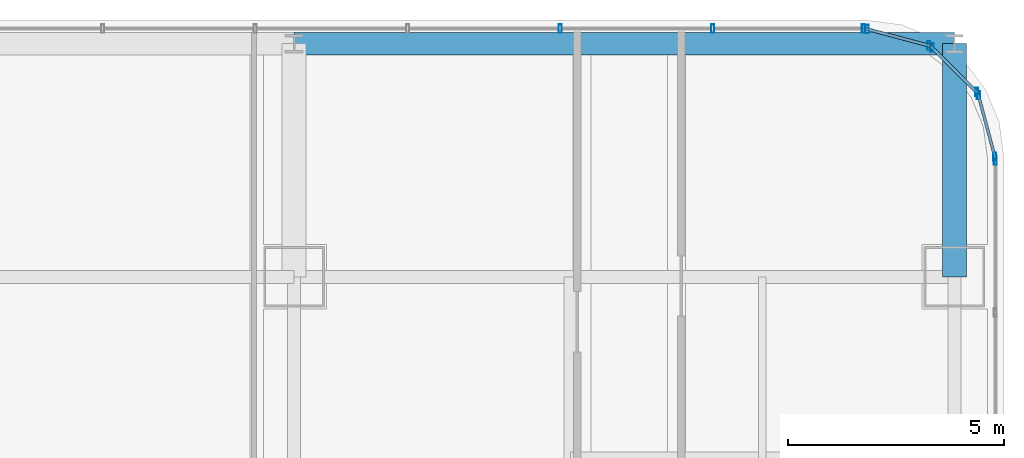
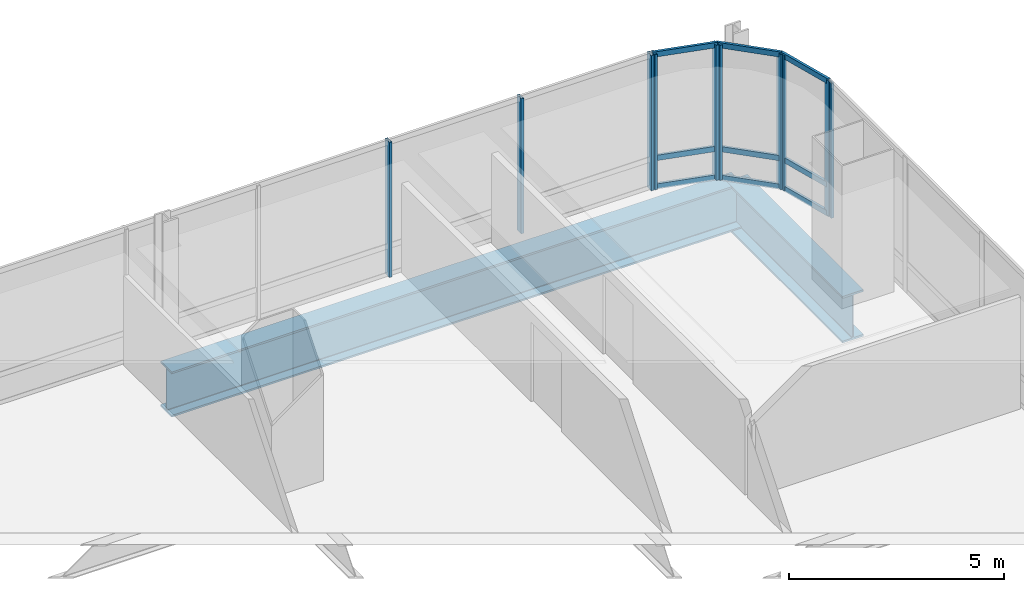
# One storey, part 27 of 38: 19 members, 2 beams, 5 elements without a shape of their own.
"""IFC4 building model written with IfcOpenShell, lengths in metres."""

from ifc_helpers import new_model, si_unit, direction, frame, origin, origin_2d, place, context, subcontext, project, spatial, hollow_rectangle, i_section, extrude, material, material_profile, profile_set, type_object, element, aggregate, save


model = new_model("IFC4")

# Units and contexts
model_context = context("Model", 3, precision=1e-05, world=origin(), true_north=direction((0.0, 1.0)))
body_context = subcontext(model_context, "Body", "Model", "MODEL_VIEW")
ifc_project = project(units=[si_unit("LENGTHUNIT", "METRE"), si_unit("AREAUNIT", "SQUARE_METRE"), si_unit("VOLUMEUNIT", "CUBIC_METRE"), si_unit("PLANEANGLEUNIT", "RADIAN"), si_unit("MASSUNIT", "GRAM", prefix="KILO")], contexts=[model_context])

# Site, building, storey
site_placement = place(None, origin())
site = spatial("IfcSite", under=ifc_project, at=site_placement, CompositionType="ELEMENT")
building_placement = place(site_placement, origin())
building = spatial("IfcBuilding", under=site, at=building_placement, Name="Punatoya Terracotta Tower", CompositionType="ELEMENT")
storey_placement = place(building_placement, frame((0.0, 0.0, 160.050048828125)))
storey = spatial("IfcBuildingStorey", under=building, at=storey_placement, Name="L37", CompositionType="ELEMENT", Elevation=160.050048828125)

# Beams
ifc_material_1 = material(Name="Steel S460", Category="steel")
ifc_material_profile_1 = material_profile(ifc_material_1, i_section(OverallWidth=0.56005859375, OverallDepth=1.320068359375, WebThickness=0.035888671875, FlangeThickness=0.054931640625, FilletRadius=0.01806640625, at=origin_2d()))
ifc_profile_set_1 = profile_set([ifc_material_profile_1], Name="Steel S460")
beam_type_1 = type_object("IfcBeamType", Name="BM-TG-BLK", PredefinedType="BEAM", material=ifc_profile_set_1)
beam_1_placement = place(storey_placement, frame((19.10009765625, 17.5, -0.880126953125), z_axis=(0.0, 1.0, 0.0), x_axis=(-1.0, 0.0, 0.0)))
element("IfcBeam", 1, at=beam_1_placement, inside=storey, type_object=beam_type_1, Name="BM-L37-CANT-N4", PredefinedType="BEAM", context=body_context, shape_type="SweptSolid", body=[
    extrude(i_section(OverallWidth=0.56005859375, OverallDepth=1.320068359375, WebThickness=0.035888671875, FlangeThickness=0.054931640625, FilletRadius=0.01806640625, at=origin_2d()), origin(), (0.0, 0.0, 1.0), 5.39990234375),
])
ifc_material_profile_2 = material_profile(ifc_material_1, i_section(OverallWidth=0.52001953125, OverallDepth=1.280029296875, WebThickness=0.031982421875, FlangeThickness=0.050048828125, FilletRadius=0.01806640625, at=origin_2d()))
ifc_profile_set_2 = profile_set([ifc_material_profile_2], Name="Steel S460")
beam_type_2 = type_object("IfcBeamType", Name="BM-TG-NCK", PredefinedType="BEAM", material=ifc_profile_set_2)
beam_2_placement = place(storey_placement, frame((3.800048828125, 22.89990234375, -0.860107421875), z_axis=(1.0, 0.0, 0.0), x_axis=(0.0, 1.0, 0.0)))
element("IfcBeam", 2, at=beam_2_placement, inside=storey, type_object=beam_type_2, Name="BM-L37-PER-N3", PredefinedType="BEAM", context=body_context, shape_type="SweptSolid", body=[
    extrude(i_section(OverallWidth=0.52001953125, OverallDepth=1.280029296875, WebThickness=0.031982421875, FlangeThickness=0.050048828125, FilletRadius=0.01806640625, at=origin_2d()), origin(), (0.0, 0.0, 1.0), 15.300048828125),
])

# Curtain wall, member
ifc_material_2 = material(Name="Aluminium 6063-T6 + Double Low-E Glass", Category="aluminium")
curtain_wall_type = type_object("IfcCurtainWallType", Name="CW-M2", PredefinedType="NOTDEFINED", material=ifc_material_2)
curtain_wall_1_placement = place(storey_placement, origin())
curtain_wall_1 = element("IfcCurtainWall", 3, at=curtain_wall_1_placement, inside=storey, type_object=curtain_wall_type, Name="L37 Curtain Wall CW-L37-E05-1", PredefinedType="NOTDEFINED")
ifc_material_3 = material(Name="Aluminium 6063-T6", Category="aluminium")
ifc_material_profile_3 = material_profile(ifc_material_3, hollow_rectangle(XDim=0.072021484375, YDim=0.195068359375, WallThickness=0.00439453125, at=origin_2d()))
ifc_profile_set_3 = profile_set([ifc_material_profile_3], Name="Aluminium 6063-T6")
member_type_1 = type_object("IfcMemberType", Name="CW-MUL-M2", PredefinedType="MULLION", material=ifc_profile_set_3)
member_1_placement = place(storey_placement, frame((20.050048828125, 20.19189453125, 0.0), z_axis=(0.0, 0.0, 1.0), x_axis=(1.0, 0.0, 0.0)))
member_1 = element("IfcMember", 4, at=member_1_placement, type_object=member_type_1, Name="CW-L37-E05-1 Mullion 10", PredefinedType="MULLION", context=body_context, shape_type="SweptSolid", body=[
    extrude(hollow_rectangle(XDim=0.072021484375, YDim=0.195068359375, WallThickness=0.00439453125, at=origin_2d()), origin(), (0.0, 0.0, 1.0), 3.829833984375),
])
aggregate(curtain_wall_1, [member_1])

# Curtain wall, members
curtain_wall_2_placement = place(storey_placement, origin())
curtain_wall_2 = element("IfcCurtainWall", 5, at=curtain_wall_2_placement, inside=storey, type_object=curtain_wall_type, Name="L37 Curtain Wall CW-L37-CRN06", PredefinedType="NOTDEFINED")
member_2_placement = place(storey_placement, frame((20.038330078125, 20.280517578125, 0.0), z_axis=(0.0, 0.0, 1.0), x_axis=(1.0, 0.0, 0.0)))
member_2 = element("IfcMember", 6, at=member_2_placement, type_object=member_type_1, Name="CW-L37-CRN06 Mullion 00", PredefinedType="MULLION", context=body_context, shape_type="SweptSolid", body=[
    extrude(hollow_rectangle(XDim=0.072021484375, YDim=0.195068359375, WallThickness=0.00439453125, at=origin_2d()), origin(), (0.0, 0.0, 1.0), 3.829833984375),
])
member_3_placement = place(storey_placement, frame((19.658203125, 21.70556640625, 0.0), z_axis=(0.0, 0.0, 1.0), x_axis=(1.0, 0.0, 0.0)))
member_3 = element("IfcMember", 7, at=member_3_placement, type_object=member_type_1, Name="CW-L37-CRN06 Mullion 01", PredefinedType="MULLION", context=body_context, shape_type="SweptSolid", body=[
    extrude(hollow_rectangle(XDim=0.072021484375, YDim=0.195068359375, WallThickness=0.00439453125, at=origin_2d()), origin(), (0.0, 0.0, 1.0), 3.829833984375),
])

curtain_wall_3_placement = place(storey_placement, origin())
curtain_wall_3 = element("IfcCurtainWall", 8, at=curtain_wall_3_placement, inside=storey, type_object=curtain_wall_type, Name="L37 Curtain Wall CW-L37-CRN07", PredefinedType="NOTDEFINED")
member_4_placement = place(storey_placement, frame((19.61474609375, 21.781005859375, 0.0), z_axis=(0.0, 0.0, 1.0), x_axis=(1.0, 0.0, 0.0)))
member_4 = element("IfcMember", 9, at=member_4_placement, type_object=member_type_1, Name="CW-L37-CRN07 Mullion 00", PredefinedType="MULLION", context=body_context, shape_type="SweptSolid", body=[
    extrude(hollow_rectangle(XDim=0.072021484375, YDim=0.195068359375, WallThickness=0.00439453125, at=origin_2d()), origin(), (0.0, 0.0, 1.0), 3.829833984375),
])
member_5_placement = place(storey_placement, frame((18.580810546875, 22.814697265625, 0.0), z_axis=(0.0, 0.0, 1.0), x_axis=(1.0, 0.0, 0.0)))
member_5 = element("IfcMember", 10, at=member_5_placement, type_object=member_type_1, Name="CW-L37-CRN07 Mullion 01", PredefinedType="MULLION", context=body_context, shape_type="SweptSolid", body=[
    extrude(hollow_rectangle(XDim=0.072021484375, YDim=0.195068359375, WallThickness=0.00439453125, at=origin_2d()), origin(), (0.0, 0.0, 1.0), 3.829833984375),
])

curtain_wall_4_placement = place(storey_placement, origin())
curtain_wall_4 = element("IfcCurtainWall", 11, at=curtain_wall_4_placement, inside=storey, type_object=curtain_wall_type, Name="L37 Curtain Wall CW-L37-CRN08", PredefinedType="NOTDEFINED")
member_6_placement = place(storey_placement, frame((18.505615234375, 22.858154296875, 0.0), z_axis=(0.0, 0.0, 1.0), x_axis=(1.0, 0.0, 0.0)))
member_6 = element("IfcMember", 12, at=member_6_placement, type_object=member_type_1, Name="CW-L37-CRN08 Mullion 00", PredefinedType="MULLION", context=body_context, shape_type="SweptSolid", body=[
    extrude(hollow_rectangle(XDim=0.072021484375, YDim=0.195068359375, WallThickness=0.00439453125, at=origin_2d()), origin(), (0.0, 0.0, 1.0), 3.829833984375),
])
member_7_placement = place(storey_placement, frame((17.080322265625, 23.23828125, 0.0), z_axis=(0.0, 0.0, 1.0), x_axis=(1.0, 0.0, 0.0)))
member_7 = element("IfcMember", 13, at=member_7_placement, type_object=member_type_1, Name="CW-L37-CRN08 Mullion 01", PredefinedType="MULLION", context=body_context, shape_type="SweptSolid", body=[
    extrude(hollow_rectangle(XDim=0.072021484375, YDim=0.195068359375, WallThickness=0.00439453125, at=origin_2d()), origin(), (0.0, 0.0, 1.0), 3.829833984375),
])

curtain_wall_5_placement = place(storey_placement, origin())
curtain_wall_5 = element("IfcCurtainWall", 14, at=curtain_wall_5_placement, inside=storey, type_object=curtain_wall_type, Name="L37 Curtain Wall CW-L37-N09-1", PredefinedType="NOTDEFINED")
member_8_placement = place(storey_placement, frame((16.991943359375, 23.25, 0.0), z_axis=(0.0, 0.0, 1.0), x_axis=(1.0, 0.0, 0.0)))
member_8 = element("IfcMember", 15, at=member_8_placement, type_object=member_type_1, Name="CW-L37-N09-1 Mullion 00", PredefinedType="MULLION", context=body_context, shape_type="SweptSolid", body=[
    extrude(hollow_rectangle(XDim=0.072021484375, YDim=0.195068359375, WallThickness=0.00439453125, at=origin_2d()), origin(), (0.0, 0.0, 1.0), 3.829833984375),
])
member_9_placement = place(storey_placement, frame((13.5029296875, 23.25, 0.0), z_axis=(0.0, 0.0, 1.0), x_axis=(1.0, 0.0, 0.0)))
member_9 = element("IfcMember", 16, at=member_9_placement, type_object=member_type_1, Name="CW-L37-N09-1 Mullion 01", PredefinedType="MULLION", context=body_context, shape_type="SweptSolid", body=[
    extrude(hollow_rectangle(XDim=0.072021484375, YDim=0.195068359375, WallThickness=0.00439453125, at=origin_2d()), origin(), (0.0, 0.0, 1.0), 3.829833984375),
])
member_10_placement = place(storey_placement, frame((9.968994140625, 23.25, 0.0), z_axis=(0.0, 0.0, 1.0), x_axis=(1.0, 0.0, 0.0)))
member_10 = element("IfcMember", 17, at=member_10_placement, type_object=member_type_1, Name="CW-L37-N09-1 Mullion 02", PredefinedType="MULLION", context=body_context, shape_type="SweptSolid", body=[
    extrude(hollow_rectangle(XDim=0.072021484375, YDim=0.195068359375, WallThickness=0.00439453125, at=origin_2d()), origin(), (0.0, 0.0, 1.0), 3.829833984375),
])
aggregate(curtain_wall_5, [member_8, member_9, member_10])

# Member
ifc_material_profile_4 = material_profile(ifc_material_3, hollow_rectangle(XDim=0.068115234375, YDim=0.14990234375, WallThickness=0.00390625, at=origin_2d()))
ifc_profile_set_4 = profile_set([ifc_material_profile_4], Name="Aluminium 6063-T6")
member_type_2 = type_object("IfcMemberType", Name="CW-TRN-TYP", PredefinedType="USERDEFINED", material=ifc_profile_set_4)
member_11_placement = place(storey_placement, frame((20.050048828125, 20.23681640625, 0.0400390625), z_axis=(-0.257847112249, 0.966185730957, 0.0), x_axis=(-0.966185730957, -0.257847112249, 0.0)))
member_11 = element("IfcMember", 18, at=member_11_placement, type_object=member_type_2, Name="CW-L37-CRN06 Transom 1", ObjectType="TRANSOM", PredefinedType="USERDEFINED", context=body_context, shape_type="SweptSolid", body=[
    extrude(hollow_rectangle(XDim=0.068115234375, YDim=0.14990234375, WallThickness=0.00390625, at=origin_2d()), origin(), (0.0, 0.0, 1.0), 1.565185546875),
])

member_12_placement = place(storey_placement, frame((20.050048828125, 20.23681640625, 0.849853515625), z_axis=(-0.257847112249, 0.966185730957, 0.0), x_axis=(-0.966185730957, -0.257847112249, 0.0)))
member_12 = element("IfcMember", 19, at=member_12_placement, type_object=member_type_2, Name="CW-L37-CRN06 Transom 2", ObjectType="TRANSOM", PredefinedType="USERDEFINED", context=body_context, shape_type="SweptSolid", body=[
    extrude(hollow_rectangle(XDim=0.068115234375, YDim=0.14990234375, WallThickness=0.00390625, at=origin_2d()), origin(), (0.0, 0.0, 1.0), 1.565185546875),
])

member_13_placement = place(storey_placement, frame((20.050048828125, 20.23681640625, 3.7900390625), z_axis=(-0.257847112249, 0.966185730957, 0.0), x_axis=(-0.966185730957, -0.257847112249, 0.0)))
member_13 = element("IfcMember", 20, at=member_13_placement, type_object=member_type_2, Name="CW-L37-CRN06 Transom 3", ObjectType="TRANSOM", PredefinedType="USERDEFINED", context=body_context, shape_type="SweptSolid", body=[
    extrude(hollow_rectangle(XDim=0.068115234375, YDim=0.14990234375, WallThickness=0.00390625, at=origin_2d()), origin(), (0.0, 0.0, 1.0), 1.565185546875),
])

aggregate(curtain_wall_2, [member_2, member_3, member_11, member_12, member_13])

member_14_placement = place(storey_placement, frame((19.646484375, 21.7490234375, 0.0400390625), z_axis=(-0.707028130747, 0.707185422879, 0.0), x_axis=(-0.707185422879, -0.707028130747, 0.0)))
member_14 = element("IfcMember", 21, at=member_14_placement, type_object=member_type_2, Name="CW-L37-CRN07 Transom 1", ObjectType="TRANSOM", PredefinedType="USERDEFINED", context=body_context, shape_type="SweptSolid", body=[
    extrude(hollow_rectangle(XDim=0.068115234375, YDim=0.14990234375, WallThickness=0.00390625, at=origin_2d()), origin(), (0.0, 0.0, 1.0), 1.55224609375),
])

member_15_placement = place(storey_placement, frame((19.646484375, 21.7490234375, 0.849853515625), z_axis=(-0.707028130747, 0.707185422879, 0.0), x_axis=(-0.707185422879, -0.707028130747, 0.0)))
member_15 = element("IfcMember", 22, at=member_15_placement, type_object=member_type_2, Name="CW-L37-CRN07 Transom 2", ObjectType="TRANSOM", PredefinedType="USERDEFINED", context=body_context, shape_type="SweptSolid", body=[
    extrude(hollow_rectangle(XDim=0.068115234375, YDim=0.14990234375, WallThickness=0.00390625, at=origin_2d()), origin(), (0.0, 0.0, 1.0), 1.55224609375),
])

member_16_placement = place(storey_placement, frame((19.646484375, 21.7490234375, 3.7900390625), z_axis=(-0.707028130747, 0.707185422879, 0.0), x_axis=(-0.707185422879, -0.707028130747, 0.0)))
member_16 = element("IfcMember", 23, at=member_16_placement, type_object=member_type_2, Name="CW-L37-CRN07 Transom 3", ObjectType="TRANSOM", PredefinedType="USERDEFINED", context=body_context, shape_type="SweptSolid", body=[
    extrude(hollow_rectangle(XDim=0.068115234375, YDim=0.14990234375, WallThickness=0.00390625, at=origin_2d()), origin(), (0.0, 0.0, 1.0), 1.55224609375),
])

aggregate(curtain_wall_3, [member_4, member_5, member_14, member_15, member_16])

member_17_placement = place(storey_placement, frame((18.549072265625, 22.8466796875, 0.0400390625), z_axis=(-0.966224582397, 0.257701486942, 0.0), x_axis=(-0.257701486942, -0.966224582397, 0.0)))
member_17 = element("IfcMember", 24, at=member_17_placement, type_object=member_type_2, Name="CW-L37-CRN08 Transom 1", ObjectType="TRANSOM", PredefinedType="USERDEFINED", context=body_context, shape_type="SweptSolid", body=[
    extrude(hollow_rectangle(XDim=0.068115234375, YDim=0.14990234375, WallThickness=0.00390625, at=origin_2d()), origin(), (0.0, 0.0, 1.0), 1.565185546875),
])

member_18_placement = place(storey_placement, frame((18.549072265625, 22.8466796875, 0.849853515625), z_axis=(-0.966224582397, 0.257701486942, 0.0), x_axis=(-0.257701486942, -0.966224582397, 0.0)))
member_18 = element("IfcMember", 25, at=member_18_placement, type_object=member_type_2, Name="CW-L37-CRN08 Transom 2", ObjectType="TRANSOM", PredefinedType="USERDEFINED", context=body_context, shape_type="SweptSolid", body=[
    extrude(hollow_rectangle(XDim=0.068115234375, YDim=0.14990234375, WallThickness=0.00390625, at=origin_2d()), origin(), (0.0, 0.0, 1.0), 1.565185546875),
])

member_19_placement = place(storey_placement, frame((18.549072265625, 22.8466796875, 3.7900390625), z_axis=(-0.966224582397, 0.257701486942, 0.0), x_axis=(-0.257701486942, -0.966224582397, 0.0)))
member_19 = element("IfcMember", 26, at=member_19_placement, type_object=member_type_2, Name="CW-L37-CRN08 Transom 3", ObjectType="TRANSOM", PredefinedType="USERDEFINED", context=body_context, shape_type="SweptSolid", body=[
    extrude(hollow_rectangle(XDim=0.068115234375, YDim=0.14990234375, WallThickness=0.00390625, at=origin_2d()), origin(), (0.0, 0.0, 1.0), 1.565185546875),
])

aggregate(curtain_wall_4, [member_6, member_7, member_17, member_18, member_19])

save(model, "model.ifc")
